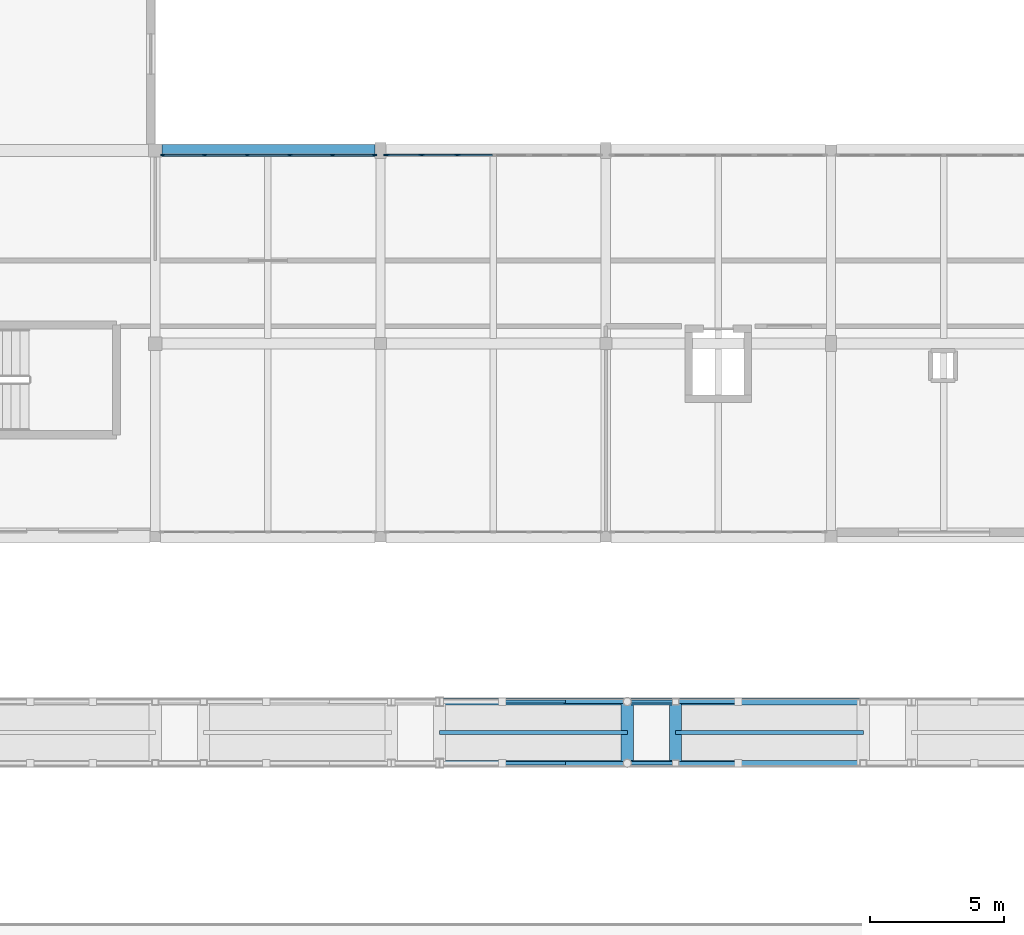
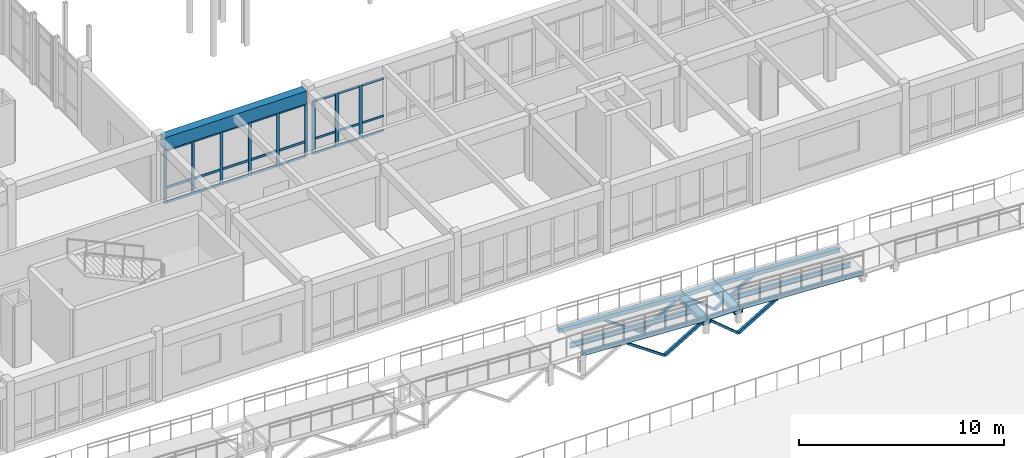
# One storey, part 42 of 89: 47 members, 5 beams, 2 elements without a shape of their own.
"""IFC4 building model written with IfcOpenShell, lengths in metres."""

from ifc_helpers import new_model, si_unit, direction, frame, origin, origin_2d, place, context, subcontext, project, spatial, rectangle, hollow_rectangle, i_section, extrude, material, material_profile, profile_set, type_object, element, aggregate, save


model = new_model("IFC4")

# Units and contexts
model_context = context("Model", 3, precision=1e-05, world=origin(), true_north=direction((0.0, 1.0)))
body_context = subcontext(model_context, "Body", "Model", "MODEL_VIEW")
ifc_project = project(units=[si_unit("LENGTHUNIT", "METRE"), si_unit("AREAUNIT", "SQUARE_METRE"), si_unit("VOLUMEUNIT", "CUBIC_METRE"), si_unit("PLANEANGLEUNIT", "RADIAN"), si_unit("MASSUNIT", "GRAM", prefix="KILO")], contexts=[model_context])

# Site, building, storey
site_placement = place(None, origin())
site = spatial("IfcSite", under=ifc_project, at=site_placement, CompositionType="ELEMENT")
building_placement = place(site_placement, origin())
building = spatial("IfcBuilding", under=site, at=building_placement, Name="Malvenik Polytechnic", CompositionType="ELEMENT")
storey_placement = place(building_placement, frame((0.0, 0.0, 13.5)))
storey = spatial("IfcBuildingStorey", under=building, at=storey_placement, Name="L03", CompositionType="ELEMENT", Elevation=13.5)

# Curtain wall, members
ifc_material_1 = material(Name="Anodised aluminium 6060-T6", Category="aluminium")
curtain_wall_type = type_object("IfcCurtainWallType", Name="ARC-CW-CW-02", PredefinedType="NOTDEFINED", material=ifc_material_1)
curtain_wall_1_placement = place(storey_placement, origin())
curtain_wall_1 = element("IfcCurtainWall", 1, at=curtain_wall_1_placement, inside=storey, type_object=curtain_wall_type, Name="Unitised Curtain Wall CW-02 L03 #188", PredefinedType="NOTDEFINED")
ifc_material_2 = material(Name="Anodised aluminium", Category="aluminium")
ifc_material_profile_1 = material_profile(ifc_material_2, rectangle(XDim=0.06005859375, YDim=0.159912109375, at=origin_2d()), Name="ALU MULLION 60x160")
ifc_profile_set_1 = profile_set([ifc_material_profile_1], Name="Anodised aluminium")
member_type_1 = type_object("IfcMemberType", Name="ARC-CWM-160", PredefinedType="MULLION", material=ifc_profile_set_1)
member_1_placement = place(storey_placement, frame((84.278076171875, 93.429931640625, 0.0), z_axis=(0.0, 0.0, 1.0), x_axis=(0.0, 1.0, 0.0)))
member_1 = element("IfcMember", 2, at=member_1_placement, type_object=member_type_1, Name="CW-02 mullion 1", PredefinedType="MULLION", context=body_context, shape_type="SweptSolid", body=[
    extrude(rectangle(XDim=0.06005859375, YDim=0.159912109375, at=origin_2d()), origin(), (0.0, 0.0, 1.0), 3.159912109375),
])
member_2_placement = place(storey_placement, frame((85.8388671875, 93.429931640625, 0.0), z_axis=(0.0, 0.0, 1.0), x_axis=(0.0, 1.0, 0.0)))
member_2 = element("IfcMember", 3, at=member_2_placement, type_object=member_type_1, Name="CW-02 mullion 2", PredefinedType="MULLION", context=body_context, shape_type="SweptSolid", body=[
    extrude(rectangle(XDim=0.06005859375, YDim=0.159912109375, at=origin_2d()), origin(), (0.0, 0.0, 1.0), 3.159912109375),
])
member_3_placement = place(storey_placement, frame((87.4296875, 93.429931640625, 0.0), z_axis=(0.0, 0.0, 1.0), x_axis=(0.0, 1.0, 0.0)))
member_3 = element("IfcMember", 4, at=member_3_placement, type_object=member_type_1, Name="CW-02 mullion 3", PredefinedType="MULLION", context=body_context, shape_type="SweptSolid", body=[
    extrude(rectangle(XDim=0.06005859375, YDim=0.159912109375, at=origin_2d()), origin(), (0.0, 0.0, 1.0), 3.159912109375),
])
member_4_placement = place(storey_placement, frame((89.0205078125, 93.429931640625, 0.0), z_axis=(0.0, 0.0, 1.0), x_axis=(0.0, 1.0, 0.0)))
member_4 = element("IfcMember", 5, at=member_4_placement, type_object=member_type_1, Name="CW-02 mullion 4", PredefinedType="MULLION", context=body_context, shape_type="SweptSolid", body=[
    extrude(rectangle(XDim=0.06005859375, YDim=0.159912109375, at=origin_2d()), origin(), (0.0, 0.0, 1.0), 3.159912109375),
])
member_5_placement = place(storey_placement, frame((90.611083984375, 93.429931640625, 0.0), z_axis=(0.0, 0.0, 1.0), x_axis=(0.0, 1.0, 0.0)))
member_5 = element("IfcMember", 6, at=member_5_placement, type_object=member_type_1, Name="CW-02 mullion 5", PredefinedType="MULLION", context=body_context, shape_type="SweptSolid", body=[
    extrude(rectangle(XDim=0.06005859375, YDim=0.159912109375, at=origin_2d()), origin(), (0.0, 0.0, 1.0), 3.159912109375),
])
member_6_placement = place(storey_placement, frame((92.172119140625, 93.429931640625, 0.0), z_axis=(0.0, 0.0, 1.0), x_axis=(0.0, 1.0, 0.0)))
member_6 = element("IfcMember", 7, at=member_6_placement, type_object=member_type_1, Name="CW-02 mullion 6", PredefinedType="MULLION", context=body_context, shape_type="SweptSolid", body=[
    extrude(rectangle(XDim=0.06005859375, YDim=0.159912109375, at=origin_2d()), origin(), (0.0, 0.0, 1.0), 3.159912109375),
])

curtain_wall_2_placement = place(storey_placement, origin())
curtain_wall_2 = element("IfcCurtainWall", 8, at=curtain_wall_2_placement, inside=storey, type_object=curtain_wall_type, Name="Unitised Curtain Wall CW-02 L03 #189", PredefinedType="NOTDEFINED")
ifc_material_profile_2 = material_profile(ifc_material_2, rectangle(XDim=0.06005859375, YDim=0.199951171875, at=origin_2d()), Name="ALU MULLION 60x200")
ifc_profile_set_2 = profile_set([ifc_material_profile_2], Name="Anodised aluminium")
member_type_2 = type_object("IfcMemberType", Name="ARC-CWM-200", PredefinedType="MULLION", material=ifc_profile_set_2)
member_7_placement = place(storey_placement, frame((92.6279296875, 93.429931640625, 0.0), z_axis=(0.0, 0.0, 1.0), x_axis=(0.0, 1.0, 0.0)))
member_7 = element("IfcMember", 9, at=member_7_placement, type_object=member_type_2, Name="CW-02 mullion 1", PredefinedType="MULLION", context=body_context, shape_type="SweptSolid", body=[
    extrude(rectangle(XDim=0.06005859375, YDim=0.199951171875, at=origin_2d()), origin(), (0.0, 0.0, 1.0), 3.159912109375),
])
member_8_placement = place(storey_placement, frame((93.931884765625, 93.429931640625, 0.0), z_axis=(0.0, 0.0, 1.0), x_axis=(0.0, 1.0, 0.0)))
member_8 = element("IfcMember", 10, at=member_8_placement, type_object=member_type_2, Name="CW-02 mullion 2", PredefinedType="MULLION", context=body_context, shape_type="SweptSolid", body=[
    extrude(rectangle(XDim=0.06005859375, YDim=0.199951171875, at=origin_2d()), origin(), (0.0, 0.0, 1.0), 3.159912109375),
])
member_9_placement = place(storey_placement, frame((95.26611328125, 93.429931640625, 0.0), z_axis=(0.0, 0.0, 1.0), x_axis=(0.0, 1.0, 0.0)))
member_9 = element("IfcMember", 11, at=member_9_placement, type_object=member_type_2, Name="CW-02 mullion 3", PredefinedType="MULLION", context=body_context, shape_type="SweptSolid", body=[
    extrude(rectangle(XDim=0.06005859375, YDim=0.199951171875, at=origin_2d()), origin(), (0.0, 0.0, 1.0), 3.159912109375),
])
ifc_material_profile_3 = material_profile(ifc_material_2, rectangle(XDim=0.06005859375, YDim=0.1201171875, at=origin_2d()), Name="ALU TRANSOM 60x120")
ifc_profile_set_3 = profile_set([ifc_material_profile_3], Name="Anodised aluminium")
member_type_3 = type_object("IfcMemberType", Name="ARC-CWT-120", PredefinedType="USERDEFINED", material=ifc_profile_set_3)
member_10_placement = place(storey_placement, frame((92.657958984375, 93.429931640625, 0.030029296875), z_axis=(1.0, 0.0, 0.0), x_axis=(0.0, 1.0, 0.0)))
member_10 = element("IfcMember", 12, at=member_10_placement, type_object=member_type_3, Name="CW-02 transom 1.1", ObjectType="TRANSOM", PredefinedType="USERDEFINED", context=body_context, shape_type="SweptSolid", body=[
    extrude(rectangle(XDim=0.06005859375, YDim=0.1201171875, at=origin_2d()), origin(), (0.0, 0.0, 1.0), 1.244140625),
])
member_11_placement = place(storey_placement, frame((92.657958984375, 93.429931640625, 0.89990234375), z_axis=(1.0, 0.0, 0.0), x_axis=(0.0, 1.0, 0.0)))
member_11 = element("IfcMember", 13, at=member_11_placement, type_object=member_type_3, Name="CW-02 transom 1.2", ObjectType="TRANSOM", PredefinedType="USERDEFINED", context=body_context, shape_type="SweptSolid", body=[
    extrude(rectangle(XDim=0.06005859375, YDim=0.1201171875, at=origin_2d()), origin(), (0.0, 0.0, 1.0), 1.244140625),
])
member_12_placement = place(storey_placement, frame((92.657958984375, 93.429931640625, 3.1298828125), z_axis=(1.0, 0.0, 0.0), x_axis=(0.0, 1.0, 0.0)))
member_12 = element("IfcMember", 14, at=member_12_placement, type_object=member_type_3, Name="CW-02 transom 1.3", ObjectType="TRANSOM", PredefinedType="USERDEFINED", context=body_context, shape_type="SweptSolid", body=[
    extrude(rectangle(XDim=0.06005859375, YDim=0.1201171875, at=origin_2d()), origin(), (0.0, 0.0, 1.0), 1.244140625),
])
member_13_placement = place(storey_placement, frame((93.9619140625, 93.429931640625, 0.030029296875), z_axis=(1.0, 0.0, 0.0), x_axis=(0.0, 1.0, 0.0)))
member_13 = element("IfcMember", 15, at=member_13_placement, type_object=member_type_3, Name="CW-02 transom 2.1", ObjectType="TRANSOM", PredefinedType="USERDEFINED", context=body_context, shape_type="SweptSolid", body=[
    extrude(rectangle(XDim=0.06005859375, YDim=0.1201171875, at=origin_2d()), origin(), (0.0, 0.0, 1.0), 1.274169921875),
])
member_14_placement = place(storey_placement, frame((93.9619140625, 93.429931640625, 0.89990234375), z_axis=(1.0, 0.0, 0.0), x_axis=(0.0, 1.0, 0.0)))
member_14 = element("IfcMember", 16, at=member_14_placement, type_object=member_type_3, Name="CW-02 transom 2.2", ObjectType="TRANSOM", PredefinedType="USERDEFINED", context=body_context, shape_type="SweptSolid", body=[
    extrude(rectangle(XDim=0.06005859375, YDim=0.1201171875, at=origin_2d()), origin(), (0.0, 0.0, 1.0), 1.274169921875),
])
member_15_placement = place(storey_placement, frame((93.9619140625, 93.429931640625, 3.1298828125), z_axis=(1.0, 0.0, 0.0), x_axis=(0.0, 1.0, 0.0)))
member_15 = element("IfcMember", 17, at=member_15_placement, type_object=member_type_3, Name="CW-02 transom 2.3", ObjectType="TRANSOM", PredefinedType="USERDEFINED", context=body_context, shape_type="SweptSolid", body=[
    extrude(rectangle(XDim=0.06005859375, YDim=0.1201171875, at=origin_2d()), origin(), (0.0, 0.0, 1.0), 1.274169921875),
])
member_16_placement = place(storey_placement, frame((95.2958984375, 93.429931640625, 0.030029296875), z_axis=(1.0, 0.0, 0.0), x_axis=(0.0, 1.0, 0.0)))
member_16 = element("IfcMember", 18, at=member_16_placement, type_object=member_type_3, Name="CW-02 transom 3.1", ObjectType="TRANSOM", PredefinedType="USERDEFINED", context=body_context, shape_type="SweptSolid", body=[
    extrude(rectangle(XDim=0.06005859375, YDim=0.1201171875, at=origin_2d()), origin(), (0.0, 0.0, 1.0), 1.274169921875),
])
member_17_placement = place(storey_placement, frame((95.2958984375, 93.429931640625, 0.89990234375), z_axis=(1.0, 0.0, 0.0), x_axis=(0.0, 1.0, 0.0)))
member_17 = element("IfcMember", 19, at=member_17_placement, type_object=member_type_3, Name="CW-02 transom 3.2", ObjectType="TRANSOM", PredefinedType="USERDEFINED", context=body_context, shape_type="SweptSolid", body=[
    extrude(rectangle(XDim=0.06005859375, YDim=0.1201171875, at=origin_2d()), origin(), (0.0, 0.0, 1.0), 1.274169921875),
])
member_18_placement = place(storey_placement, frame((95.2958984375, 93.429931640625, 3.1298828125), z_axis=(1.0, 0.0, 0.0), x_axis=(0.0, 1.0, 0.0)))
member_18 = element("IfcMember", 20, at=member_18_placement, type_object=member_type_3, Name="CW-02 transom 3.3", ObjectType="TRANSOM", PredefinedType="USERDEFINED", context=body_context, shape_type="SweptSolid", body=[
    extrude(rectangle(XDim=0.06005859375, YDim=0.1201171875, at=origin_2d()), origin(), (0.0, 0.0, 1.0), 1.274169921875),
])
aggregate(curtain_wall_2, [member_7, member_8, member_9, member_10, member_11, member_12, member_13, member_14, member_15, member_16, member_17, member_18])

# Member
ifc_material_profile_4 = material_profile(ifc_material_2, rectangle(XDim=0.06005859375, YDim=0.139892578125, at=origin_2d()), Name="ALU TRANSOM 60x140")
ifc_profile_set_4 = profile_set([ifc_material_profile_4], Name="Anodised aluminium")
member_type_4 = type_object("IfcMemberType", Name="ARC-CWT-140", PredefinedType="USERDEFINED", material=ifc_profile_set_4)
member_19_placement = place(storey_placement, frame((84.30810546875, 93.429931640625, 0.030029296875), z_axis=(1.0, 0.0, 0.0), x_axis=(0.0, 1.0, 0.0)))
member_19 = element("IfcMember", 21, at=member_19_placement, type_object=member_type_4, Name="CW-02 transom 1.1", ObjectType="TRANSOM", PredefinedType="USERDEFINED", context=body_context, shape_type="SweptSolid", body=[
    extrude(rectangle(XDim=0.06005859375, YDim=0.139892578125, at=origin_2d()), origin(), (0.0, 0.0, 1.0), 1.500732421875),
])

member_20_placement = place(storey_placement, frame((84.30810546875, 93.429931640625, 0.89990234375), z_axis=(1.0, 0.0, 0.0), x_axis=(0.0, 1.0, 0.0)))
member_20 = element("IfcMember", 22, at=member_20_placement, type_object=member_type_4, Name="CW-02 transom 1.2", ObjectType="TRANSOM", PredefinedType="USERDEFINED", context=body_context, shape_type="SweptSolid", body=[
    extrude(rectangle(XDim=0.06005859375, YDim=0.139892578125, at=origin_2d()), origin(), (0.0, 0.0, 1.0), 1.500732421875),
])

member_21_placement = place(storey_placement, frame((84.30810546875, 93.429931640625, 3.1298828125), z_axis=(1.0, 0.0, 0.0), x_axis=(0.0, 1.0, 0.0)))
member_21 = element("IfcMember", 23, at=member_21_placement, type_object=member_type_4, Name="CW-02 transom 1.3", ObjectType="TRANSOM", PredefinedType="USERDEFINED", context=body_context, shape_type="SweptSolid", body=[
    extrude(rectangle(XDim=0.06005859375, YDim=0.139892578125, at=origin_2d()), origin(), (0.0, 0.0, 1.0), 1.500732421875),
])

member_22_placement = place(storey_placement, frame((85.868896484375, 93.429931640625, 0.030029296875), z_axis=(1.0, 0.0, 0.0), x_axis=(0.0, 1.0, 0.0)))
member_22 = element("IfcMember", 24, at=member_22_placement, type_object=member_type_4, Name="CW-02 transom 2.1", ObjectType="TRANSOM", PredefinedType="USERDEFINED", context=body_context, shape_type="SweptSolid", body=[
    extrude(rectangle(XDim=0.06005859375, YDim=0.139892578125, at=origin_2d()), origin(), (0.0, 0.0, 1.0), 1.53076171875),
])

member_23_placement = place(storey_placement, frame((85.868896484375, 93.429931640625, 0.89990234375), z_axis=(1.0, 0.0, 0.0), x_axis=(0.0, 1.0, 0.0)))
member_23 = element("IfcMember", 25, at=member_23_placement, type_object=member_type_4, Name="CW-02 transom 2.2", ObjectType="TRANSOM", PredefinedType="USERDEFINED", context=body_context, shape_type="SweptSolid", body=[
    extrude(rectangle(XDim=0.06005859375, YDim=0.139892578125, at=origin_2d()), origin(), (0.0, 0.0, 1.0), 1.53076171875),
])

member_24_placement = place(storey_placement, frame((85.868896484375, 93.429931640625, 3.1298828125), z_axis=(1.0, 0.0, 0.0), x_axis=(0.0, 1.0, 0.0)))
member_24 = element("IfcMember", 26, at=member_24_placement, type_object=member_type_4, Name="CW-02 transom 2.3", ObjectType="TRANSOM", PredefinedType="USERDEFINED", context=body_context, shape_type="SweptSolid", body=[
    extrude(rectangle(XDim=0.06005859375, YDim=0.139892578125, at=origin_2d()), origin(), (0.0, 0.0, 1.0), 1.53076171875),
])

member_25_placement = place(storey_placement, frame((87.459716796875, 93.429931640625, 0.030029296875), z_axis=(1.0, 0.0, 0.0), x_axis=(0.0, 1.0, 0.0)))
member_25 = element("IfcMember", 27, at=member_25_placement, type_object=member_type_4, Name="CW-02 transom 3.1", ObjectType="TRANSOM", PredefinedType="USERDEFINED", context=body_context, shape_type="SweptSolid", body=[
    extrude(rectangle(XDim=0.06005859375, YDim=0.139892578125, at=origin_2d()), origin(), (0.0, 0.0, 1.0), 1.53076171875),
])

member_26_placement = place(storey_placement, frame((87.459716796875, 93.429931640625, 0.89990234375), z_axis=(1.0, 0.0, 0.0), x_axis=(0.0, 1.0, 0.0)))
member_26 = element("IfcMember", 28, at=member_26_placement, type_object=member_type_4, Name="CW-02 transom 3.2", ObjectType="TRANSOM", PredefinedType="USERDEFINED", context=body_context, shape_type="SweptSolid", body=[
    extrude(rectangle(XDim=0.06005859375, YDim=0.139892578125, at=origin_2d()), origin(), (0.0, 0.0, 1.0), 1.53076171875),
])

member_27_placement = place(storey_placement, frame((87.459716796875, 93.429931640625, 3.1298828125), z_axis=(1.0, 0.0, 0.0), x_axis=(0.0, 1.0, 0.0)))
member_27 = element("IfcMember", 29, at=member_27_placement, type_object=member_type_4, Name="CW-02 transom 3.3", ObjectType="TRANSOM", PredefinedType="USERDEFINED", context=body_context, shape_type="SweptSolid", body=[
    extrude(rectangle(XDim=0.06005859375, YDim=0.139892578125, at=origin_2d()), origin(), (0.0, 0.0, 1.0), 1.53076171875),
])

member_28_placement = place(storey_placement, frame((89.05029296875, 93.429931640625, 0.030029296875), z_axis=(1.0, 0.0, 0.0), x_axis=(0.0, 1.0, 0.0)))
member_28 = element("IfcMember", 30, at=member_28_placement, type_object=member_type_4, Name="CW-02 transom 4.1", ObjectType="TRANSOM", PredefinedType="USERDEFINED", context=body_context, shape_type="SweptSolid", body=[
    extrude(rectangle(XDim=0.06005859375, YDim=0.139892578125, at=origin_2d()), origin(), (0.0, 0.0, 1.0), 1.531005859375),
])

member_29_placement = place(storey_placement, frame((89.05029296875, 93.429931640625, 0.89990234375), z_axis=(1.0, 0.0, 0.0), x_axis=(0.0, 1.0, 0.0)))
member_29 = element("IfcMember", 31, at=member_29_placement, type_object=member_type_4, Name="CW-02 transom 4.2", ObjectType="TRANSOM", PredefinedType="USERDEFINED", context=body_context, shape_type="SweptSolid", body=[
    extrude(rectangle(XDim=0.06005859375, YDim=0.139892578125, at=origin_2d()), origin(), (0.0, 0.0, 1.0), 1.531005859375),
])

member_30_placement = place(storey_placement, frame((89.05029296875, 93.429931640625, 3.1298828125), z_axis=(1.0, 0.0, 0.0), x_axis=(0.0, 1.0, 0.0)))
member_30 = element("IfcMember", 32, at=member_30_placement, type_object=member_type_4, Name="CW-02 transom 4.3", ObjectType="TRANSOM", PredefinedType="USERDEFINED", context=body_context, shape_type="SweptSolid", body=[
    extrude(rectangle(XDim=0.06005859375, YDim=0.139892578125, at=origin_2d()), origin(), (0.0, 0.0, 1.0), 1.531005859375),
])

member_31_placement = place(storey_placement, frame((90.64111328125, 93.429931640625, 0.030029296875), z_axis=(1.0, 0.0, 0.0), x_axis=(0.0, 1.0, 0.0)))
member_31 = element("IfcMember", 33, at=member_31_placement, type_object=member_type_4, Name="CW-02 transom 5.1", ObjectType="TRANSOM", PredefinedType="USERDEFINED", context=body_context, shape_type="SweptSolid", body=[
    extrude(rectangle(XDim=0.06005859375, YDim=0.139892578125, at=origin_2d()), origin(), (0.0, 0.0, 1.0), 1.5009765625),
])

member_32_placement = place(storey_placement, frame((90.64111328125, 93.429931640625, 0.89990234375), z_axis=(1.0, 0.0, 0.0), x_axis=(0.0, 1.0, 0.0)))
member_32 = element("IfcMember", 34, at=member_32_placement, type_object=member_type_4, Name="CW-02 transom 5.2", ObjectType="TRANSOM", PredefinedType="USERDEFINED", context=body_context, shape_type="SweptSolid", body=[
    extrude(rectangle(XDim=0.06005859375, YDim=0.139892578125, at=origin_2d()), origin(), (0.0, 0.0, 1.0), 1.5009765625),
])

member_33_placement = place(storey_placement, frame((90.64111328125, 93.429931640625, 3.1298828125), z_axis=(1.0, 0.0, 0.0), x_axis=(0.0, 1.0, 0.0)))
member_33 = element("IfcMember", 35, at=member_33_placement, type_object=member_type_4, Name="CW-02 transom 5.3", ObjectType="TRANSOM", PredefinedType="USERDEFINED", context=body_context, shape_type="SweptSolid", body=[
    extrude(rectangle(XDim=0.06005859375, YDim=0.139892578125, at=origin_2d()), origin(), (0.0, 0.0, 1.0), 1.5009765625),
])

aggregate(curtain_wall_1, [member_1, member_2, member_3, member_4, member_5, member_6, member_19, member_20, member_21, member_22, member_23, member_24, member_25, member_26, member_27, member_28, member_29, member_30, member_31, member_32, member_33])

# Beams
ifc_material_3 = material(Name="Steel S355J2H", Category="steel")
ifc_material_profile_5 = material_profile(ifc_material_3, hollow_rectangle(XDim=0.449951171875, YDim=0.300048828125, WallThickness=0.012451171875, at=origin_2d()), Name="RHS 450x300x12.5")
ifc_profile_set_5 = profile_set([ifc_material_profile_5], Name="Steel S355J2H")
beam_type_1 = type_object("IfcBeamType", Name="STR-BM-SB-07", PredefinedType="BEAM", material=ifc_profile_set_5)
for number, where, z_axis, x_axis, name in (
    (36, (103.39990234375, 70.64990234375, 0.681884765625), (0.0, 1.0, 0.0), (-1.0, 0.0, 0.0), "Ramp Joint Transom RB-02 #5"),
    (37, (101.60009765625, 70.64990234375, 0.681884765625), (0.0, 1.0, 0.0), (-1.0, 0.0, 0.0), "Ramp Joint Transom RB-02 #6"),
):
    element("IfcBeam", number, at=place(storey_placement, frame(where, z_axis=z_axis, x_axis=x_axis)), inside=storey, type_object=beam_type_1, Name=name, PredefinedType="BEAM", context=body_context, shape_type="SweptSolid", body=[
        extrude(hollow_rectangle(XDim=0.449951171875, YDim=0.300048828125, WallThickness=0.012451171875, at=origin_2d()), origin(), (0.0, 0.0, 1.0), 2.5),
    ])
ifc_material_4 = material(Name="Steel S355", Category="steel")
ifc_material_profile_6 = material_profile(ifc_material_4, i_section(OverallWidth=0.14990234375, OverallDepth=0.300048828125, WebThickness=0.007080078125, FlangeThickness=0.0107421875, FilletRadius=0.014892578125, at=origin_2d()), Name="IPE 300")
ifc_profile_set_6 = profile_set([ifc_material_profile_6], Name="Steel S355")
beam_type_2 = type_object("IfcBeamType", Name="STR-BM-SB-09", PredefinedType="JOIST", material=ifc_profile_set_6)
for number, where, z_axis, x_axis, name in (
    (38, (110.39990234375, 71.89990234375, 0.27490234375), (-0.998751643845, 0.0, 0.049951515669), (0.0, -1.0, 0.0), "Ramp Centreline Stringer RB-02 #4"),
    (39, (101.60009765625, 71.89990234375, 0.625), (-0.998751643845, 0.0, 0.049951515669), (0.0, -1.0, 0.0), "Ramp Centreline Stringer RB-02 #6"),
):
    element("IfcBeam", number, at=place(storey_placement, frame(where, z_axis=z_axis, x_axis=x_axis)), inside=storey, type_object=beam_type_2, Name=name, PredefinedType="JOIST", context=body_context, shape_type="SweptSolid", body=[
        extrude(i_section(OverallWidth=0.14990234375, OverallDepth=0.300048828125, WebThickness=0.007080078125, FlangeThickness=0.0107421875, FilletRadius=0.014892578125, at=origin_2d()), origin(), (0.0, 0.0, 1.0), 7.0087890625),
    ])
ifc_material_5 = material(Name="Precast concrete C40/50", Category="concrete")
ifc_material_profile_7 = material_profile(ifc_material_5, rectangle(XDim=0.4599609375, YDim=0.75, at=origin_2d()), Name="PC SPN 460x750")
ifc_profile_set_7 = profile_set([ifc_material_profile_7], Name="Precast concrete C40/50")
beam_type_3 = type_object("IfcBeamType", Name="STR-BM-SP-02", PredefinedType="SPANDREL", material=ifc_profile_set_7)
beam_placement = place(storey_placement, frame((84.248046875, 93.60009765625, 3.544921875), z_axis=(1.0, 0.0, 0.0), x_axis=(0.0, 1.0, 0.0)))
element("IfcBeam", 40, at=beam_placement, inside=storey, type_object=beam_type_3, Name="Primary Beam SP-02 L03 #1672", PredefinedType="SPANDREL", context=body_context, shape_type="SweptSolid", body=[
    extrude(rectangle(XDim=0.4599609375, YDim=0.75, at=origin_2d()), origin(), (0.0, 0.0, 1.0), 7.953857421875),
])

# Members
ifc_material_profile_8 = material_profile(ifc_material_3, hollow_rectangle(XDim=0.14990234375, YDim=0.14990234375, WallThickness=0.008056640625, at=origin_2d()), Name="SHS 150x150x8.0")
ifc_profile_set_8 = profile_set([ifc_material_profile_8], Name="Steel S355J2H")
member_type_5 = type_object("IfcMemberType", Name="STR-MEM-TRD-01", PredefinedType="BRACE", material=ifc_profile_set_8)
for number, where, z_axis, x_axis, name in (
    (41, (105.72998046875, 70.75, 0.711181640625), (-0.860228478793, 0.0, -0.509908780346), (0.0, -1.0, 0.0), "Space-Frame Tube TRD-01 STR-TRD-03-RB-02-1-04"),
    (42, (101.5966796875, 70.75, 0.827880859375), (-0.860228478793, 0.0, -0.509908780346), (0.0, -1.0, 0.0), "Space-Frame Tube TRD-01 STR-TRD-01-RB-02-1-06"),
    (43, (105.72998046875, 73.050048828125, 0.711181640625), (-0.860228478793, 0.0, -0.509908780346), (0.0, -1.0, 0.0), "Space-Frame Tube TRD-01 STR-TRD-03-RB-02-2-04"),
    (44, (101.5966796875, 73.050048828125, 0.827880859375), (-0.860228478793, 0.0, -0.509908780346), (0.0, -1.0, 0.0), "Space-Frame Tube TRD-01 STR-TRD-01-RB-02-2-06"),
):
    element("IfcMember", number, at=place(storey_placement, frame(where, z_axis=z_axis, x_axis=x_axis)), inside=storey, type_object=member_type_5, Name=name, PredefinedType="BRACE", context=body_context, shape_type="SweptSolid", body=[
        extrude(hollow_rectangle(XDim=0.14990234375, YDim=0.14990234375, WallThickness=0.008056640625, at=origin_2d()), origin(), (0.0, 0.0, 1.0), 2.70458984375),
    ])
ifc_material_profile_9 = material_profile(ifc_material_3, hollow_rectangle(XDim=0.1201171875, YDim=0.1201171875, WallThickness=0.00634765625, at=origin_2d()), Name="SHS 120x120x6.3")
ifc_profile_set_9 = profile_set([ifc_material_profile_9], Name="Steel S355J2H")
member_type_6 = type_object("IfcMemberType", Name="STR-MEM-TRD-02", PredefinedType="BRACE", material=ifc_profile_set_9)
member_34_placement = place(storey_placement, frame((103.39697265625, 70.75, -0.66748046875), z_axis=(-0.768238418778, 0.0, 0.640163832088), x_axis=(0.0, -1.0, 0.0)))
element("IfcMember", 45, at=member_34_placement, inside=storey, type_object=member_type_6, Name="Space-Frame Tube TRD-02 STR-TR-DGL-RB-02-1-05", PredefinedType="BRACE", context=body_context, shape_type="SweptSolid", body=[
    extrude(hollow_rectangle(XDim=0.1201171875, YDim=0.1201171875, WallThickness=0.00634765625, at=origin_2d()), origin(), (0.0, 0.0, 1.0), 2.335205078125),
])
member_35_placement = place(storey_placement, frame((99.263427734375, 70.75, -0.551025390625), z_axis=(-0.822005857331, 0.0, 0.569479034305), x_axis=(0.0, -1.0, 0.0)))
element("IfcMember", 46, at=member_35_placement, inside=storey, type_object=member_type_6, Name="Space-Frame Tube TRD-02 STR-TRD-02-RB-02-1-06", PredefinedType="BRACE", context=body_context, shape_type="SweptSolid", body=[
    extrude(hollow_rectangle(XDim=0.1201171875, YDim=0.1201171875, WallThickness=0.00634765625, at=origin_2d()), origin(), (0.0, 0.0, 1.0), 2.830810546875),
])
member_36_placement = place(storey_placement, frame((103.39697265625, 73.050048828125, -0.66748046875), z_axis=(-0.768238418778, 0.0, 0.640163832088), x_axis=(0.0, -1.0, 0.0)))
element("IfcMember", 47, at=member_36_placement, inside=storey, type_object=member_type_6, Name="Space-Frame Tube TRD-02 STR-TR-DGL-RB-02-2-05", PredefinedType="BRACE", context=body_context, shape_type="SweptSolid", body=[
    extrude(hollow_rectangle(XDim=0.1201171875, YDim=0.1201171875, WallThickness=0.00634765625, at=origin_2d()), origin(), (0.0, 0.0, 1.0), 2.335205078125),
])
member_37_placement = place(storey_placement, frame((99.263427734375, 73.050048828125, -0.551025390625), z_axis=(-0.822005857331, 0.0, 0.569479034305), x_axis=(0.0, -1.0, 0.0)))
element("IfcMember", 48, at=member_37_placement, inside=storey, type_object=member_type_6, Name="Space-Frame Tube TRD-02 STR-TRD-02-RB-02-2-06", PredefinedType="BRACE", context=body_context, shape_type="SweptSolid", body=[
    extrude(hollow_rectangle(XDim=0.1201171875, YDim=0.1201171875, WallThickness=0.00634765625, at=origin_2d()), origin(), (0.0, 0.0, 1.0), 2.830810546875),
])
ifc_material_profile_10 = material_profile(ifc_material_3, hollow_rectangle(XDim=0.199951171875, YDim=0.199951171875, WallThickness=0.010009765625, at=origin_2d()), Name="SHS 200x200x10.0")
ifc_profile_set_10 = profile_set([ifc_material_profile_10], Name="Steel S355J2H")
member_type_7 = type_object("IfcMemberType", Name="STR-MEM-TRT-01", PredefinedType="CHORD", material=ifc_profile_set_10)
member_38_placement = place(storey_placement, frame((110.39599609375, 70.75, 0.480224609375), z_axis=(-0.998752251909, 0.0, 0.049939356288), x_axis=(0.0, -1.0, 0.0)))
element("IfcMember", 49, at=member_38_placement, inside=storey, type_object=member_type_7, Name="Space-Frame Tube TRT-01 STR-TR-TC-RB-02-1-04", PredefinedType="CHORD", context=body_context, shape_type="SweptSolid", body=[
    extrude(hollow_rectangle(XDim=0.199951171875, YDim=0.199951171875, WallThickness=0.010009765625, at=origin_2d()), origin(), (0.0, 0.0, 1.0), 7.000732421875),
])
member_39_placement = place(storey_placement, frame((103.39599609375, 70.75, 0.830078125), z_axis=(-1.0, 0.0, 0.0), x_axis=(0.0, -1.0, 0.0)))
element("IfcMember", 50, at=member_39_placement, inside=storey, type_object=member_type_7, Name="Space-Frame Tube TRT-01 STR-TR-TC-RB-02-1-05", PredefinedType="CHORD", context=body_context, shape_type="SweptSolid", body=[
    extrude(hollow_rectangle(XDim=0.199951171875, YDim=0.199951171875, WallThickness=0.010009765625, at=origin_2d()), origin(), (0.0, 0.0, 1.0), 1.7919921875),
])
member_40_placement = place(storey_placement, frame((101.595947265625, 70.75, 0.830078125), z_axis=(-0.998752251909, 0.0, 0.049939356288), x_axis=(0.0, -1.0, 0.0)))
element("IfcMember", 51, at=member_40_placement, inside=storey, type_object=member_type_7, Name="Space-Frame Tube TRT-01 STR-TR-TC-RB-02-1-06", PredefinedType="CHORD", context=body_context, shape_type="SweptSolid", body=[
    extrude(hollow_rectangle(XDim=0.199951171875, YDim=0.199951171875, WallThickness=0.010009765625, at=origin_2d()), origin(), (0.0, 0.0, 1.0), 7.000732421875),
])
ifc_material_profile_11 = material_profile(ifc_material_3, hollow_rectangle(XDim=0.25, YDim=0.25, WallThickness=0.010009765625, at=origin_2d()), Name="SHS 250x250x10.0")
ifc_profile_set_11 = profile_set([ifc_material_profile_11], Name="Steel S355J2H")
member_type_8 = type_object("IfcMemberType", Name="STR-MEM-TRT-02", PredefinedType="CHORD", material=ifc_profile_set_11)
member_41_placement = place(storey_placement, frame((110.39599609375, 73.050048828125, 0.480224609375), z_axis=(-0.998752251909, 0.0, 0.049939356288), x_axis=(0.0, -1.0, 0.0)))
element("IfcMember", 52, at=member_41_placement, inside=storey, type_object=member_type_8, Name="Space-Frame Tube TRT-02 STR-TR-TC-RB-02-2-04", PredefinedType="CHORD", context=body_context, shape_type="SweptSolid", body=[
    extrude(hollow_rectangle(XDim=0.25, YDim=0.25, WallThickness=0.010009765625, at=origin_2d()), origin(), (0.0, 0.0, 1.0), 7.000732421875),
])
member_42_placement = place(storey_placement, frame((103.39599609375, 73.050048828125, 0.830078125), z_axis=(-1.0, 0.0, 0.0), x_axis=(0.0, -1.0, 0.0)))
element("IfcMember", 53, at=member_42_placement, inside=storey, type_object=member_type_8, Name="Space-Frame Tube TRT-02 STR-TR-TC-RB-02-2-05", PredefinedType="CHORD", context=body_context, shape_type="SweptSolid", body=[
    extrude(hollow_rectangle(XDim=0.25, YDim=0.25, WallThickness=0.010009765625, at=origin_2d()), origin(), (0.0, 0.0, 1.0), 1.7919921875),
])
member_43_placement = place(storey_placement, frame((101.595947265625, 73.050048828125, 0.830078125), z_axis=(-0.998752251909, 0.0, 0.049939356288), x_axis=(0.0, -1.0, 0.0)))
element("IfcMember", 54, at=member_43_placement, inside=storey, type_object=member_type_8, Name="Space-Frame Tube TRT-02 STR-TR-TC-RB-02-2-06", PredefinedType="CHORD", context=body_context, shape_type="SweptSolid", body=[
    extrude(hollow_rectangle(XDim=0.25, YDim=0.25, WallThickness=0.010009765625, at=origin_2d()), origin(), (0.0, 0.0, 1.0), 7.000732421875),
])

save(model, "model.ifc")
